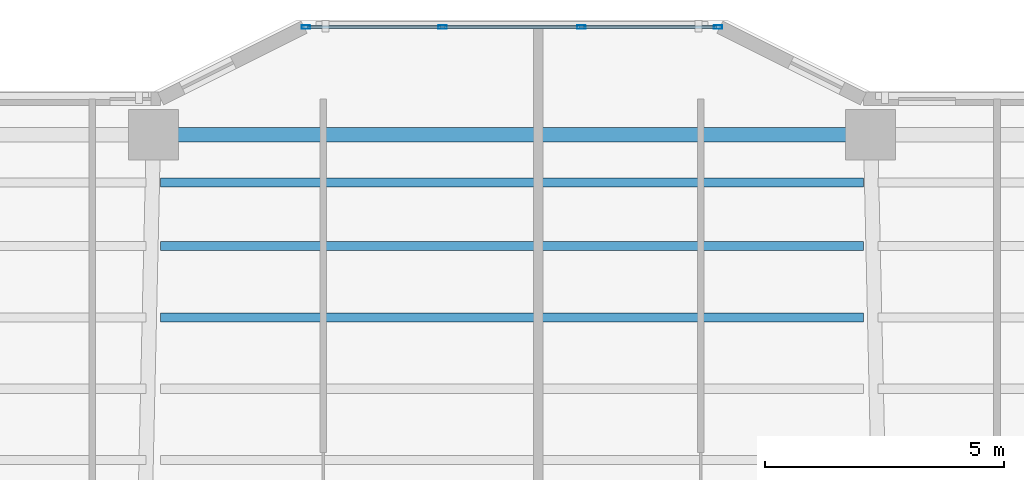
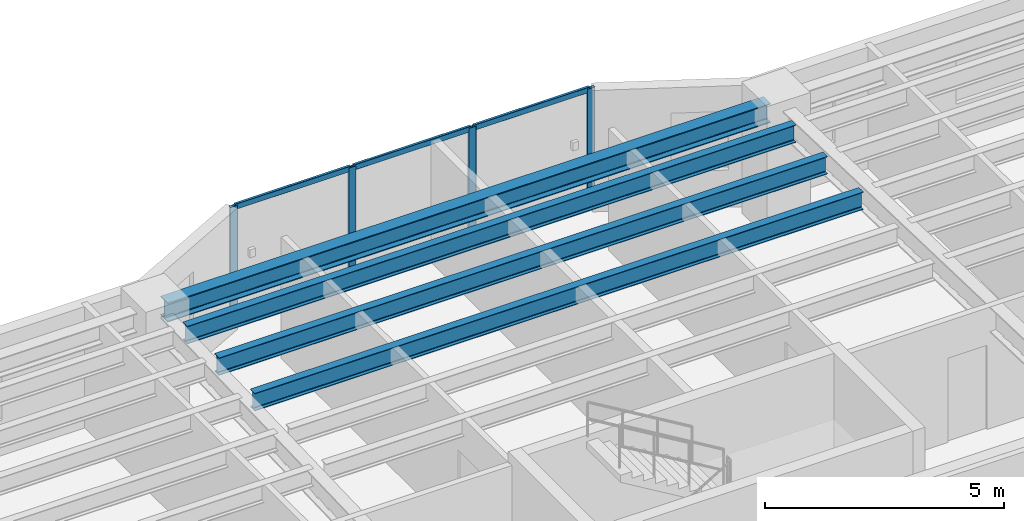
# One storey, part 4 of 18: 10 members, 4 beams, 1 element without a shape of its own.
"""IFC4 building model written with IfcOpenShell, lengths in metres."""

from ifc_helpers import new_model, si_unit, direction, frame, origin, origin_2d, place, context, subcontext, project, spatial, hollow_rectangle, i_section, extrude, material, layer, layer_set, material_profile, profile_set, type_object, element, aggregate, save


model = new_model("IFC4")

# Units and contexts
model_context = context("Model", 3, precision=1e-05, world=origin(), true_north=direction((0.0, 1.0)))
body_context = subcontext(model_context, "Body", "Model", "MODEL_VIEW")
ifc_project = project(units=[si_unit("LENGTHUNIT", "METRE"), si_unit("AREAUNIT", "SQUARE_METRE"), si_unit("VOLUMEUNIT", "CUBIC_METRE"), si_unit("PLANEANGLEUNIT", "RADIAN"), si_unit("MASSUNIT", "GRAM", prefix="KILO")], contexts=[model_context])

# Site, building, storey
site_placement = place(None, origin())
site = spatial("IfcSite", under=ifc_project, at=site_placement, CompositionType="ELEMENT")
building_placement = place(site_placement, origin())
building = spatial("IfcBuilding", under=site, at=building_placement, Name="Tarnavaz Court Tower", CompositionType="ELEMENT")
storey_placement = place(building_placement, frame((0.0, 0.0, 105.10009765625)))
storey = spatial("IfcBuildingStorey", under=building, at=storey_placement, Name="L28", CompositionType="ELEMENT", Elevation=105.10009765625)

# Beams
ifc_material_1 = material(Name="Steel S355", Category="steel")
ifc_material_profile_1 = material_profile(ifc_material_1, i_section(OverallWidth=0.18994140625, OverallDepth=0.449951171875, WebThickness=0.009521484375, FlangeThickness=0.0146484375, FilletRadius=0.02099609375, at=origin_2d()), Name="IPE 450")
ifc_profile_set_1 = profile_set([ifc_material_profile_1], Name="Steel S355")
beam_type_1 = type_object("IfcBeamType", Name="BM-J-IPE450", PredefinedType="JOIST", material=ifc_profile_set_1)
for number, where, z_axis, x_axis, name in (
    (1, (-7.35009765625, 17.48193359375, 2.875), (1.0, 0.0, 0.0), (0.0, 1.0, 0.0), "L28 Beam JN3-2"),
    (2, (-7.35009765625, 18.97607421875, 2.875), (1.0, 0.0, 0.0), (0.0, 1.0, 0.0), "L28 Beam JN4-2"),
    (3, (-7.35009765625, 20.303955078125, 2.875), (1.0, 0.0, 0.0), (0.0, 1.0, 0.0), "L28 Beam JN5-2"),
):
    element("IfcBeam", number, at=place(storey_placement, frame(where, z_axis=z_axis, x_axis=x_axis)), inside=storey, type_object=beam_type_1, Name=name, PredefinedType="JOIST", context=body_context, shape_type="SweptSolid", body=[
        extrude(i_section(OverallWidth=0.18994140625, OverallDepth=0.449951171875, WebThickness=0.009521484375, FlangeThickness=0.0146484375, FilletRadius=0.02099609375, at=origin_2d()), origin(), (0.0, 0.0, 1.0), 14.7001953125),
    ])
ifc_material_profile_2 = material_profile(ifc_material_1, i_section(OverallWidth=0.300048828125, OverallDepth=0.489990234375, WebThickness=0.011962890625, FlangeThickness=0.02294921875, FilletRadius=0.027099609375, at=origin_2d()), Name="HEA 500")
ifc_profile_set_2 = profile_set([ifc_material_profile_2], Name="Steel S355")
beam_type_2 = type_object("IfcBeamType", Name="BM-SP-HEA500", PredefinedType="SPANDREL", material=ifc_profile_set_2)
beam_placement = place(storey_placement, frame((-7.280029296875, 21.300048828125, 2.85498046875), z_axis=(1.0, 0.0, 0.0), x_axis=(0.0, 1.0, 0.0)))
element("IfcBeam", 4, at=beam_placement, inside=storey, type_object=beam_type_2, Name="L28 Beam PR-PN-2-PN-3", PredefinedType="SPANDREL", context=body_context, shape_type="SweptSolid", body=[
    extrude(i_section(OverallWidth=0.300048828125, OverallDepth=0.489990234375, WebThickness=0.011962890625, FlangeThickness=0.02294921875, FilletRadius=0.027099609375, at=origin_2d()), origin(), (0.0, 0.0, 1.0), 14.56005859375),
])

# Curtain wall, members
ifc_material_2 = material(Name="Anodised Aluminium 6063-T6 and Solar Low-E Glazing", Category="aluminium")
ifc_layer = layer(ifc_material_2, 0.179931640625)
ifc_layer_set = layer_set([ifc_layer], Name="Anodised Aluminium 6063-T6 and Solar Low-E Glazing")
curtain_wall_type = type_object("IfcCurtainWallType", Name="CW-SYS-02", PredefinedType="NOTDEFINED", material=ifc_layer_set)
curtain_wall_placement = place(storey_placement, origin())
curtain_wall = element("IfcCurtainWall", 5, at=curtain_wall_placement, inside=storey, type_object=curtain_wall_type, Name="L28 Iwan Prow Curtain Wall 7", PredefinedType="NOTDEFINED")
ifc_material_3 = material(Name="Anodised Aluminium 6063-T6", Category="aluminium")
ifc_material_profile_3 = material_profile(ifc_material_3, hollow_rectangle(XDim=0.074951171875, YDim=0.179931640625, WallThickness=0.0048828125, InnerFilletRadius=0.0048828125, OuterFilletRadius=0.010009765625, at=origin_2d()), Name="ALU RHS 180X75X5")
ifc_profile_set_3 = profile_set([ifc_material_profile_3], Name="Anodised Aluminium 6063-T6")
member_type_1 = type_object("IfcMemberType", Name="CW-MUL-180", PredefinedType="MULLION", material=ifc_profile_set_3)
member_1_placement = place(storey_placement, frame((-4.3125, 23.550048828125, 0.0), z_axis=(0.0, 0.0, 1.0), x_axis=(0.0, 1.0, 0.0)))
member_1 = element("IfcMember", 6, at=member_1_placement, type_object=member_type_1, Name="CW mullion 1", PredefinedType="MULLION", context=body_context, shape_type="SweptSolid", body=[
    extrude(hollow_rectangle(XDim=0.074951171875, YDim=0.179931640625, WallThickness=0.0048828125, InnerFilletRadius=0.0048828125, OuterFilletRadius=0.010009765625, at=origin_2d()), origin(), (0.0, 0.0, 1.0), 3.099853515625),
])
member_2_placement = place(storey_placement, frame((-1.449951171875, 23.550048828125, 0.0), z_axis=(0.0, 0.0, 1.0), x_axis=(0.0, 1.0, 0.0)))
member_2 = element("IfcMember", 7, at=member_2_placement, type_object=member_type_1, Name="CW mullion 2", PredefinedType="MULLION", context=body_context, shape_type="SweptSolid", body=[
    extrude(hollow_rectangle(XDim=0.074951171875, YDim=0.179931640625, WallThickness=0.0048828125, InnerFilletRadius=0.0048828125, OuterFilletRadius=0.010009765625, at=origin_2d()), origin(), (0.0, 0.0, 1.0), 3.099853515625),
])
member_3_placement = place(storey_placement, frame((1.449951171875, 23.550048828125, 0.0), z_axis=(0.0, 0.0, 1.0), x_axis=(0.0, 1.0, 0.0)))
member_3 = element("IfcMember", 8, at=member_3_placement, type_object=member_type_1, Name="CW mullion 3", PredefinedType="MULLION", context=body_context, shape_type="SweptSolid", body=[
    extrude(hollow_rectangle(XDim=0.074951171875, YDim=0.179931640625, WallThickness=0.0048828125, InnerFilletRadius=0.0048828125, OuterFilletRadius=0.010009765625, at=origin_2d()), origin(), (0.0, 0.0, 1.0), 3.099853515625),
])
member_4_placement = place(storey_placement, frame((4.3125, 23.550048828125, 0.0), z_axis=(0.0, 0.0, 1.0), x_axis=(0.0, 1.0, 0.0)))
member_4 = element("IfcMember", 9, at=member_4_placement, type_object=member_type_1, Name="CW mullion 4", PredefinedType="MULLION", context=body_context, shape_type="SweptSolid", body=[
    extrude(hollow_rectangle(XDim=0.074951171875, YDim=0.179931640625, WallThickness=0.0048828125, InnerFilletRadius=0.0048828125, OuterFilletRadius=0.010009765625, at=origin_2d()), origin(), (0.0, 0.0, 1.0), 3.099853515625),
])
ifc_material_profile_4 = material_profile(ifc_material_3, hollow_rectangle(XDim=0.06494140625, YDim=0.139892578125, WallThickness=0.00390625, InnerFilletRadius=0.00390625, OuterFilletRadius=0.008056640625, at=origin_2d()), Name="ALU RHS 140X65X4")
ifc_profile_set_4 = profile_set([ifc_material_profile_4], Name="Anodised Aluminium 6063-T6")
member_type_2 = type_object("IfcMemberType", Name="CW-TRN-140", PredefinedType="USERDEFINED", material=ifc_profile_set_4)
member_5_placement = place(storey_placement, frame((-4.27490234375, 23.550048828125, 0.032470703125), z_axis=(1.0, 0.0, 0.0), x_axis=(0.0, 1.0, 0.0)))
member_5 = element("IfcMember", 10, at=member_5_placement, type_object=member_type_2, Name="CW transom 1.1", ObjectType="TRANSOM", PredefinedType="USERDEFINED", context=body_context, shape_type="SweptSolid", body=[
    extrude(hollow_rectangle(XDim=0.06494140625, YDim=0.139892578125, WallThickness=0.00390625, InnerFilletRadius=0.00390625, OuterFilletRadius=0.008056640625, at=origin_2d()), origin(), (0.0, 0.0, 1.0), 2.787353515625),
])
member_6_placement = place(storey_placement, frame((-4.27490234375, 23.550048828125, 3.0673828125), z_axis=(1.0, 0.0, 0.0), x_axis=(0.0, 1.0, 0.0)))
member_6 = element("IfcMember", 11, at=member_6_placement, type_object=member_type_2, Name="CW transom 1.2", ObjectType="TRANSOM", PredefinedType="USERDEFINED", context=body_context, shape_type="SweptSolid", body=[
    extrude(hollow_rectangle(XDim=0.06494140625, YDim=0.139892578125, WallThickness=0.00390625, InnerFilletRadius=0.00390625, OuterFilletRadius=0.008056640625, at=origin_2d()), origin(), (0.0, 0.0, 1.0), 2.787353515625),
])
member_7_placement = place(storey_placement, frame((-1.41259765625, 23.550048828125, 0.032470703125), z_axis=(1.0, 0.0, 0.0), x_axis=(0.0, 1.0, 0.0)))
member_7 = element("IfcMember", 12, at=member_7_placement, type_object=member_type_2, Name="CW transom 2.1", ObjectType="TRANSOM", PredefinedType="USERDEFINED", context=body_context, shape_type="SweptSolid", body=[
    extrude(hollow_rectangle(XDim=0.06494140625, YDim=0.139892578125, WallThickness=0.00390625, InnerFilletRadius=0.00390625, OuterFilletRadius=0.008056640625, at=origin_2d()), origin(), (0.0, 0.0, 1.0), 2.8251953125),
])
member_8_placement = place(storey_placement, frame((-1.41259765625, 23.550048828125, 3.0673828125), z_axis=(1.0, 0.0, 0.0), x_axis=(0.0, 1.0, 0.0)))
member_8 = element("IfcMember", 13, at=member_8_placement, type_object=member_type_2, Name="CW transom 2.2", ObjectType="TRANSOM", PredefinedType="USERDEFINED", context=body_context, shape_type="SweptSolid", body=[
    extrude(hollow_rectangle(XDim=0.06494140625, YDim=0.139892578125, WallThickness=0.00390625, InnerFilletRadius=0.00390625, OuterFilletRadius=0.008056640625, at=origin_2d()), origin(), (0.0, 0.0, 1.0), 2.8251953125),
])
member_9_placement = place(storey_placement, frame((1.487548828125, 23.550048828125, 0.032470703125), z_axis=(1.0, 0.0, 0.0), x_axis=(0.0, 1.0, 0.0)))
member_9 = element("IfcMember", 14, at=member_9_placement, type_object=member_type_2, Name="CW transom 3.1", ObjectType="TRANSOM", PredefinedType="USERDEFINED", context=body_context, shape_type="SweptSolid", body=[
    extrude(hollow_rectangle(XDim=0.06494140625, YDim=0.139892578125, WallThickness=0.00390625, InnerFilletRadius=0.00390625, OuterFilletRadius=0.008056640625, at=origin_2d()), origin(), (0.0, 0.0, 1.0), 2.787353515625),
])
member_10_placement = place(storey_placement, frame((1.487548828125, 23.550048828125, 3.0673828125), z_axis=(1.0, 0.0, 0.0), x_axis=(0.0, 1.0, 0.0)))
member_10 = element("IfcMember", 15, at=member_10_placement, type_object=member_type_2, Name="CW transom 3.2", ObjectType="TRANSOM", PredefinedType="USERDEFINED", context=body_context, shape_type="SweptSolid", body=[
    extrude(hollow_rectangle(XDim=0.06494140625, YDim=0.139892578125, WallThickness=0.00390625, InnerFilletRadius=0.00390625, OuterFilletRadius=0.008056640625, at=origin_2d()), origin(), (0.0, 0.0, 1.0), 2.787353515625),
])
aggregate(curtain_wall, [member_1, member_2, member_3, member_4, member_5, member_6, member_7, member_8, member_9, member_10])

save(model, "model.ifc")
